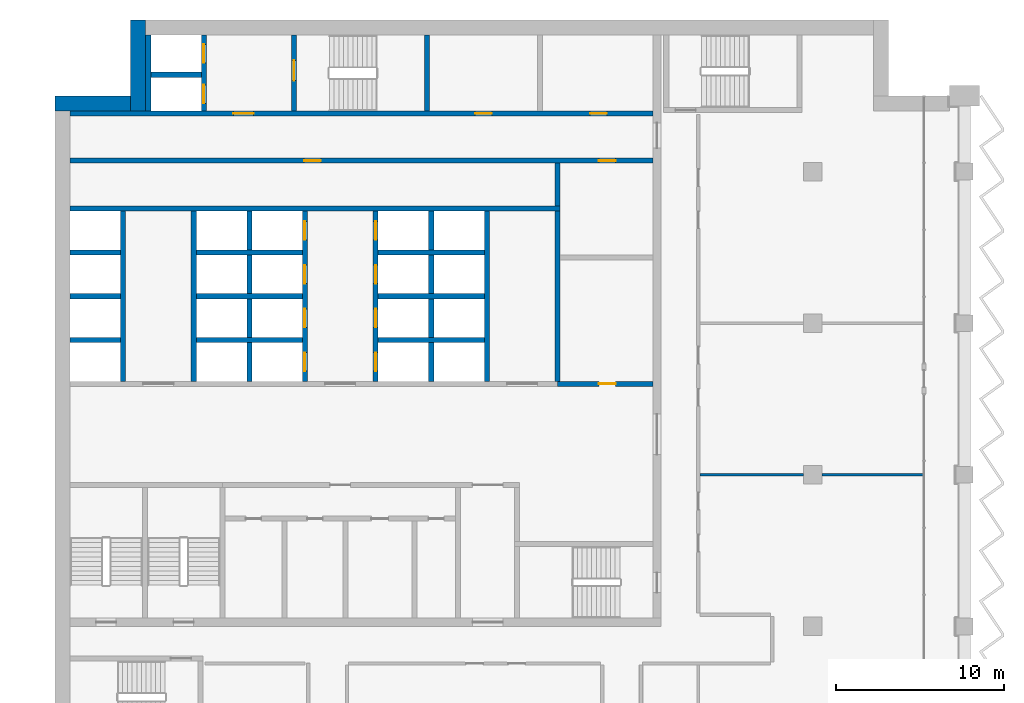
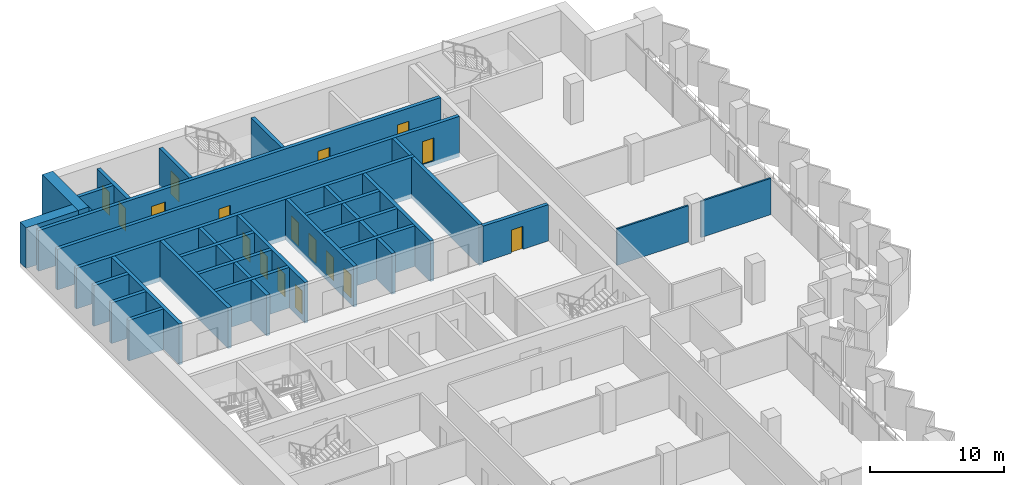
# One storey, part 10 of 17: 31 walls, 17 doors, 17 openings.
"""IFC4 building model written with IfcOpenShell, lengths in metres."""

from ifc_helpers import new_model, si_unit, direction, frame, frame_2d, origin, place, context, subcontext, project, spatial, rectangle, extrude, material, layer, layer_set, type_object, element, fill, save


model = new_model("IFC4")

# Units and contexts
model_context = context("Model", 3, precision=1e-05, world=origin(), true_north=direction((0.0, 1.0)))
body_context = subcontext(model_context, "Body", "Model", "MODEL_VIEW")
ifc_project = project(units=[si_unit("LENGTHUNIT", "METRE"), si_unit("AREAUNIT", "SQUARE_METRE"), si_unit("VOLUMEUNIT", "CUBIC_METRE"), si_unit("PLANEANGLEUNIT", "RADIAN"), si_unit("MASSUNIT", "GRAM", prefix="KILO")], contexts=[model_context])

# Site, building, storey
site_placement = place(None, origin())
site = spatial("IfcSite", under=ifc_project, at=site_placement, CompositionType="ELEMENT")
building_placement = place(site_placement, origin())
building = spatial("IfcBuilding", under=site, at=building_placement, Name="Hunhe Ridgeline Campus", CompositionType="ELEMENT")
storey_placement = place(building_placement, frame((0.0, 0.0, 186.5)))
storey = spatial("IfcBuildingStorey", under=building, at=storey_placement, Name="L47", CompositionType="ELEMENT", Elevation=186.5)

# Wall, opening, door
ifc_material_1 = material(Name="Masonry concrete blockwork", Category="masonry")
ifc_layer_1 = layer(ifc_material_1, 0.300048828125)
ifc_layer_set_1 = layer_set([ifc_layer_1], Name="Core room partition 300 concrete block")
wall_type_1 = type_object("IfcWallType", Name="Core room partition 300 concrete block", PredefinedType="PARTITIONING", material=ifc_layer_set_1)
wall_1_placement = place(storey_placement, frame((29.85009765625, 77.39990234375, 0.0), z_axis=(0.0, 0.0, 1.0), x_axis=(1.0, 0.0, 0.0)))
wall_1 = element("IfcWall", 1, at=wall_1_placement, inside=storey, type_object=wall_type_1, Name="L47 core partition 13", PredefinedType="PARTITIONING", context=body_context, shape_type="SweptSolid", body=[
    extrude(rectangle(XDim=5.64990234375, YDim=0.300048828125, at=frame_2d((2.824951171875, 0.0))), origin(), (0.0, 0.0, 1.0), 3.300048828125),
])
opening_1_placement = place(wall_1_placement, frame((2.449951171875, 0.0, 0.0)))
opening_1 = element("IfcOpeningElement", 2, at=opening_1_placement, cuts=wall_1, Name="Opening CD32", PredefinedType="OPENING", context=body_context, shape_type="SweptSolid", body=[
    extrude(rectangle(XDim=1.0, YDim=2.10009765625, at=frame_2d((0.5, 1.050048828125))), frame((0.0, 0.14990234375, 0.0), z_axis=(0.0, -1.0, 0.0), x_axis=(1.0, 0.0, 0.0)), (0.0, 0.0, 1.0), 0.300048828125),
])
ifc_material_2 = material(Name="Solid core timber door leaf", Category="wood")
door_type_1 = type_object("IfcDoorType", Name="Timber door 1000x2100", OperationType="SINGLE_SWING_LEFT", PredefinedType="DOOR", material=ifc_material_2)
door_1_placement = place(opening_1_placement, origin())
door_1 = element("IfcDoor", 3, at=door_1_placement, inside=storey, type_object=door_type_1, Name="L47 door ES0", OperationType="SINGLE_SWING_RIGHT", OverallHeight=2.10009765625, OverallWidth=1.0, PredefinedType="DOOR", context=body_context, shape_type="SweptSolid", body=[
    extrude(rectangle(XDim=1.0, YDim=2.10009765625, at=frame_2d((0.5, 1.050048828125))), frame((0.0, 0.02490234375, 0.0), z_axis=(0.0, -1.0, 0.0), x_axis=(1.0, 0.0, 0.0)), (0.0, 0.0, 1.0), 0.050048828125),
])
fill(opening_1, door_1)

# Wall
wall_2_placement = place(storey_placement, frame((29.85009765625, 87.949951171875, 0.0), z_axis=(0.0, 0.0, 1.0), x_axis=(0.0, 1.0, 0.0)))
element("IfcWall", 4, at=wall_2_placement, inside=storey, type_object=wall_type_1, Name="L47 core partition 54", PredefinedType="PARTITIONING", context=body_context, shape_type="SweptSolid", body=[
    extrude(rectangle(XDim=2.550048828125, YDim=0.300048828125, at=frame_2d((1.27490234375, 0.0))), origin(), (0.0, 0.0, 1.0), 3.300048828125),
])

# Wall, openings, doors
ifc_material_3 = material(Name="Concrete C60", Category="concrete")
ifc_layer_2 = layer(ifc_material_3, 0.300048828125)
ifc_layer_set_2 = layer_set([ifc_layer_2], Name="Lobby wall 300 reinforced concrete C60")
wall_type_2 = type_object("IfcWallType", Name="Lobby wall 300 reinforced concrete C60", PredefinedType="SOLIDWALL", material=ifc_layer_set_2)
wall_3_placement = place(storey_placement, frame((0.89990234375, 90.64990234375, -0.39990234375), z_axis=(0.0, 0.0, 1.0), x_axis=(1.0, 0.0, 0.0)))
wall_3 = element("IfcWall", 5, at=wall_3_placement, inside=storey, type_object=wall_type_2, Name="L47 core wall 25", PredefinedType="SOLIDWALL", context=body_context, shape_type="SweptSolid", body=[
    extrude(rectangle(XDim=34.60009765625, YDim=0.300048828125, at=frame_2d((17.300048828125, 0.0))), origin(), (0.0, 0.0, 1.0), 3.699951171875),
])
opening_2_placement = place(wall_3_placement, frame((13.89990234375, 0.0, 0.39990234375)))
opening_2 = element("IfcOpeningElement", 6, at=opening_2_placement, cuts=wall_3, Name="Opening CD26", PredefinedType="OPENING", context=body_context, shape_type="SweptSolid", body=[
    extrude(rectangle(XDim=1.0, YDim=2.10009765625, at=frame_2d((0.5, 1.050048828125))), frame((0.0, 0.14990234375, 0.0), z_axis=(0.0, -1.0, 0.0), x_axis=(1.0, 0.0, 0.0)), (0.0, 0.0, 1.0), 0.300048828125),
])
opening_3_placement = place(wall_3_placement, frame((31.39990234375, 0.0, 0.39990234375)))
opening_3 = element("IfcOpeningElement", 7, at=opening_3_placement, cuts=wall_3, Name="Opening CD33", PredefinedType="OPENING", context=body_context, shape_type="SweptSolid", body=[
    extrude(rectangle(XDim=1.0, YDim=2.10009765625, at=frame_2d((0.5, 1.050048828125))), frame((0.0, 0.14990234375, 0.0), z_axis=(0.0, -1.0, 0.0), x_axis=(1.0, 0.0, 0.0)), (0.0, 0.0, 1.0), 0.300048828125),
])
door_2_placement = place(opening_2_placement, frame((1.0, 0.0, 0.0), z_axis=(0.0, 0.0, 1.0), x_axis=(-1.0, 0.0, 0.0)))
door_2 = element("IfcDoor", 8, at=door_2_placement, inside=storey, type_object=door_type_1, Name="L47 door NR-0", OperationType="SINGLE_SWING_LEFT", OverallHeight=2.10009765625, OverallWidth=1.0, PredefinedType="DOOR", context=body_context, shape_type="SweptSolid", body=[
    extrude(rectangle(XDim=1.0, YDim=2.10009765625, at=frame_2d((0.5, 1.050048828125))), frame((0.0, 0.02490234375, 0.0), z_axis=(0.0, -1.0, 0.0), x_axis=(1.0, 0.0, 0.0)), (0.0, 0.0, 1.0), 0.050048828125),
])
fill(opening_2, door_2)
door_3_placement = place(opening_3_placement, frame((1.0, 0.0, 0.0), z_axis=(0.0, 0.0, 1.0), x_axis=(-1.0, 0.0, 0.0)))
door_3 = element("IfcDoor", 9, at=door_3_placement, inside=storey, type_object=door_type_1, Name="L47 door ES1", OperationType="SINGLE_SWING_RIGHT", OverallHeight=2.10009765625, OverallWidth=1.0, PredefinedType="DOOR", context=body_context, shape_type="SweptSolid", body=[
    extrude(rectangle(XDim=1.0, YDim=2.10009765625, at=frame_2d((0.5, 1.050048828125))), frame((0.0, 0.02490234375, 0.0), z_axis=(0.0, -1.0, 0.0), x_axis=(1.0, 0.0, 0.0)), (0.0, 0.0, 1.0), 0.050048828125),
])
fill(opening_3, door_3)

# Walls
wall_4_placement = place(storey_placement, frame((29.85009765625, 77.550048828125, -0.39990234375), z_axis=(0.0, 0.0, 1.0), x_axis=(0.0, 1.0, 0.0)))
element("IfcWall", 10, at=wall_4_placement, inside=storey, type_object=wall_type_2, Name="L47 core wall 53", PredefinedType="SOLIDWALL", context=body_context, shape_type="SweptSolid", body=[
    extrude(rectangle(XDim=10.099853515625, YDim=0.300048828125, at=frame_2d((5.0498046875, 0.0))), origin(), (0.0, 0.0, 1.0), 3.699951171875),
])
ifc_material_4 = material(Name="Gypsum board partition")
ifc_layer_3 = layer(ifc_material_4, 0.14990234375)
ifc_layer_set_3 = layer_set([ifc_layer_3], Name="Room partition 150 gypsum board on steel studs")
wall_type_3 = type_object("IfcWallType", Name="Room partition 150 gypsum board on steel studs", PredefinedType="PARTITIONING", material=ifc_layer_set_3)
wall_5_placement = place(storey_placement, frame((38.300048828125, 72.0, 0.0), z_axis=(0.0, 0.0, 1.0), x_axis=(1.0, 0.0, 0.0)))
element("IfcWall", 11, at=wall_5_placement, inside=storey, type_object=wall_type_3, Name="F-L47-wall-031", PredefinedType="PARTITIONING", context=body_context, shape_type="SweptSolid", body=[
    extrude(rectangle(XDim=6.14990234375, YDim=0.14990234375, at=frame_2d((3.074951171875, 0.0))), origin(), (0.0, 0.0, 1.0), 3.300048828125),
])
wall_6_placement = place(storey_placement, frame((45.550048828125, 72.0, 0.0), z_axis=(0.0, 0.0, 1.0), x_axis=(1.0, 0.0, 0.0)))
element("IfcWall", 12, at=wall_6_placement, inside=storey, type_object=wall_type_3, Name="F-L47-wall-032", PredefinedType="PARTITIONING", context=body_context, shape_type="SweptSolid", body=[
    extrude(rectangle(XDim=5.994873046875, YDim=0.14990234375, at=frame_2d((2.99755859375, 0.0))), origin(), (0.0, 0.0, 1.0), 3.300048828125),
])
ifc_layer_4 = layer(ifc_material_3, 0.300048828125)
ifc_layer_set_4 = layer_set([ifc_layer_4], Name="Shaft wall 300 reinforced concrete C60")
wall_type_4 = type_object("IfcWallType", Name="Shaft wall 300 reinforced concrete C60", PredefinedType="SOLIDWALL", material=ifc_layer_set_4)
wall_7_placement = place(storey_placement, frame((0.89990234375, 80.0, -0.39990234375), z_axis=(0.0, 0.0, 1.0), x_axis=(1.0, 0.0, 0.0)))
element("IfcWall", 13, at=wall_7_placement, inside=storey, type_object=wall_type_4, Name="L47 core wall 14", PredefinedType="SOLIDWALL", context=body_context, shape_type="SweptSolid", body=[
    extrude(rectangle(XDim=3.0, YDim=0.300048828125, at=frame_2d((1.5, 0.0))), origin(), (0.0, 0.0, 1.0), 3.699951171875),
])
for number, where, z_axis, x_axis, name in (
    (14, (8.39990234375, 80.0, -0.39990234375), (0.0, 0.0, 1.0), (1.0, 0.0, 0.0), "L47 core wall 15"),
    (15, (19.199951171875, 80.0, -0.39990234375), (0.0, 0.0, 1.0), (1.0, 0.0, 0.0), "L47 core wall 16"),
):
    element("IfcWall", number, at=place(storey_placement, frame(where, z_axis=z_axis, x_axis=x_axis)), inside=storey, type_object=wall_type_4, Name=name, PredefinedType="SOLIDWALL", context=body_context, shape_type="SweptSolid", body=[
        extrude(rectangle(XDim=6.300048828125, YDim=0.300048828125, at=frame_2d((3.14990234375, 0.0))), origin(), (0.0, 0.0, 1.0), 3.699951171875),
    ])
wall_8_placement = place(storey_placement, frame((0.89990234375, 82.60009765625, -0.39990234375), z_axis=(0.0, 0.0, 1.0), x_axis=(1.0, 0.0, 0.0)))
element("IfcWall", 16, at=wall_8_placement, inside=storey, type_object=wall_type_4, Name="L47 core wall 17", PredefinedType="SOLIDWALL", context=body_context, shape_type="SweptSolid", body=[
    extrude(rectangle(XDim=3.0, YDim=0.300048828125, at=frame_2d((1.5, 0.0))), origin(), (0.0, 0.0, 1.0), 3.699951171875),
])
for number, where, z_axis, x_axis, name in (
    (17, (8.39990234375, 82.60009765625, -0.39990234375), (0.0, 0.0, 1.0), (1.0, 0.0, 0.0), "L47 core wall 18"),
    (18, (19.199951171875, 82.60009765625, -0.39990234375), (0.0, 0.0, 1.0), (1.0, 0.0, 0.0), "L47 core wall 19"),
):
    element("IfcWall", number, at=place(storey_placement, frame(where, z_axis=z_axis, x_axis=x_axis)), inside=storey, type_object=wall_type_4, Name=name, PredefinedType="SOLIDWALL", context=body_context, shape_type="SweptSolid", body=[
        extrude(rectangle(XDim=6.300048828125, YDim=0.300048828125, at=frame_2d((3.14990234375, 0.0))), origin(), (0.0, 0.0, 1.0), 3.699951171875),
    ])
wall_9_placement = place(storey_placement, frame((0.89990234375, 85.199951171875, -0.39990234375), z_axis=(0.0, 0.0, 1.0), x_axis=(1.0, 0.0, 0.0)))
element("IfcWall", 19, at=wall_9_placement, inside=storey, type_object=wall_type_4, Name="L47 core wall 21", PredefinedType="SOLIDWALL", context=body_context, shape_type="SweptSolid", body=[
    extrude(rectangle(XDim=3.0, YDim=0.300048828125, at=frame_2d((1.5, 0.0))), origin(), (0.0, 0.0, 1.0), 3.699951171875),
])
for number, where, z_axis, x_axis, name in (
    (20, (8.39990234375, 85.199951171875, -0.39990234375), (0.0, 0.0, 1.0), (1.0, 0.0, 0.0), "L47 core wall 22"),
    (21, (19.199951171875, 85.199951171875, -0.39990234375), (0.0, 0.0, 1.0), (1.0, 0.0, 0.0), "L47 core wall 23"),
):
    element("IfcWall", number, at=place(storey_placement, frame(where, z_axis=z_axis, x_axis=x_axis)), inside=storey, type_object=wall_type_4, Name=name, PredefinedType="SOLIDWALL", context=body_context, shape_type="SweptSolid", body=[
        extrude(rectangle(XDim=6.300048828125, YDim=0.300048828125, at=frame_2d((3.14990234375, 0.0))), origin(), (0.0, 0.0, 1.0), 3.699951171875),
    ])
wall_10_placement = place(storey_placement, frame((0.89990234375, 87.800048828125, -0.39990234375), z_axis=(0.0, 0.0, 1.0), x_axis=(1.0, 0.0, 0.0)))
element("IfcWall", 22, at=wall_10_placement, inside=storey, type_object=wall_type_4, Name="L47 core wall 24", PredefinedType="SOLIDWALL", context=body_context, shape_type="SweptSolid", body=[
    extrude(rectangle(XDim=29.10009765625, YDim=0.300048828125, at=frame_2d((14.550048828125, 0.0))), origin(), (0.0, 0.0, 1.0), 3.699951171875),
])

# Wall, openings, doors
wall_11_placement = place(storey_placement, frame((0.89990234375, 93.449951171875, -0.39990234375), z_axis=(0.0, 0.0, 1.0), x_axis=(1.0, 0.0, 0.0)))
wall_11 = element("IfcWall", 23, at=wall_11_placement, inside=storey, type_object=wall_type_4, Name="L47 core wall 26", PredefinedType="SOLIDWALL", context=body_context, shape_type="SweptSolid", body=[
    extrude(rectangle(XDim=34.60009765625, YDim=0.300048828125, at=frame_2d((17.300048828125, 0.0))), origin(), (0.0, 0.0, 1.0), 3.699951171875),
])
opening_4_placement = place(wall_11_placement, frame((9.699951171875, 0.0, 0.39990234375)))
opening_4 = element("IfcOpeningElement", 24, at=opening_4_placement, cuts=wall_11, Name="Opening CD3", PredefinedType="OPENING", context=body_context, shape_type="SweptSolid", body=[
    extrude(rectangle(XDim=1.199951171875, YDim=2.10009765625, at=frame_2d((0.60009765625, 1.050048828125))), frame((0.0, 0.14990234375, 0.0), z_axis=(0.0, -1.0, 0.0), x_axis=(1.0, 0.0, 0.0)), (0.0, 0.0, 1.0), 0.300048828125),
])
opening_5_placement = place(wall_11_placement, frame((24.050048828125, 0.0, 0.39990234375)))
opening_5 = element("IfcOpeningElement", 25, at=opening_5_placement, cuts=wall_11, Name="Opening CD34", PredefinedType="OPENING", context=body_context, shape_type="SweptSolid", body=[
    extrude(rectangle(XDim=1.0, YDim=2.10009765625, at=frame_2d((0.5, 1.050048828125))), frame((0.0, 0.14990234375, 0.0), z_axis=(0.0, -1.0, 0.0), x_axis=(1.0, 0.0, 0.0)), (0.0, 0.0, 1.0), 0.300048828125),
])
opening_6_placement = place(wall_11_placement, frame((30.875, 0.0, 0.39990234375)))
opening_6 = element("IfcOpeningElement", 26, at=opening_6_placement, cuts=wall_11, Name="Opening CD35", PredefinedType="OPENING", context=body_context, shape_type="SweptSolid", body=[
    extrude(rectangle(XDim=1.0, YDim=2.10009765625, at=frame_2d((0.5, 1.050048828125))), frame((0.0, 0.14990234375, 0.0), z_axis=(0.0, -1.0, 0.0), x_axis=(1.0, 0.0, 0.0)), (0.0, 0.0, 1.0), 0.300048828125),
])
ifc_material_5 = material(Name="Hollow metal fire door leaf")
door_type_2 = type_object("IfcDoorType", Name="Lobby door 1200x2100 FD60", OperationType="SINGLE_SWING_LEFT", PredefinedType="DOOR", material=ifc_material_5)
door_4_placement = place(opening_4_placement, frame((1.199951171875, 0.0, 0.0), z_axis=(0.0, 0.0, 1.0), x_axis=(-1.0, 0.0, 0.0)))
door_4 = element("IfcDoor", 27, at=door_4_placement, inside=storey, type_object=door_type_2, Name="L47 door FF-C1", OperationType="SINGLE_SWING_RIGHT", OverallHeight=2.10009765625, OverallWidth=1.199951171875, PredefinedType="DOOR", context=body_context, shape_type="SweptSolid", body=[
    extrude(rectangle(XDim=1.199951171875, YDim=2.10009765625, at=frame_2d((0.60009765625, 1.050048828125))), frame((0.0, 0.02490234375, 0.0), z_axis=(0.0, -1.0, 0.0), x_axis=(1.0, 0.0, 0.0)), (0.0, 0.0, 1.0), 0.050048828125),
])
fill(opening_4, door_4)
door_5_placement = place(opening_5_placement, origin())
door_5 = element("IfcDoor", 28, at=door_5_placement, inside=storey, type_object=door_type_1, Name="L47 door NB0", OperationType="SINGLE_SWING_RIGHT", OverallHeight=2.10009765625, OverallWidth=1.0, PredefinedType="DOOR", context=body_context, shape_type="SweptSolid", body=[
    extrude(rectangle(XDim=1.0, YDim=2.10009765625, at=frame_2d((0.5, 1.050048828125))), frame((0.0, 0.02490234375, 0.0), z_axis=(0.0, -1.0, 0.0), x_axis=(1.0, 0.0, 0.0)), (0.0, 0.0, 1.0), 0.050048828125),
])
fill(opening_5, door_5)
door_6_placement = place(opening_6_placement, origin())
door_6 = element("IfcDoor", 29, at=door_6_placement, inside=storey, type_object=door_type_1, Name="L47 door NB1", OperationType="SINGLE_SWING_LEFT", OverallHeight=2.10009765625, OverallWidth=1.0, PredefinedType="DOOR", context=body_context, shape_type="SweptSolid", body=[
    extrude(rectangle(XDim=1.0, YDim=2.10009765625, at=frame_2d((0.5, 1.050048828125))), frame((0.0, 0.02490234375, 0.0), z_axis=(0.0, -1.0, 0.0), x_axis=(1.0, 0.0, 0.0)), (0.0, 0.0, 1.0), 0.050048828125),
])
fill(opening_6, door_6)

# Walls
wall_12_placement = place(storey_placement, frame((5.699951171875, 95.75, -0.39990234375), z_axis=(0.0, 0.0, 1.0), x_axis=(1.0, 0.0, 0.0)))
element("IfcWall", 30, at=wall_12_placement, inside=storey, type_object=wall_type_4, Name="L47 core wall 28", PredefinedType="SOLIDWALL", context=body_context, shape_type="SweptSolid", body=[
    extrude(rectangle(XDim=3.0, YDim=0.300048828125, at=frame_2d((1.5, 0.0))), origin(), (0.0, 0.0, 1.0), 3.699951171875),
])
wall_13_placement = place(storey_placement, frame((4.050048828125, 77.550048828125, -0.39990234375), z_axis=(0.0, 0.0, 1.0), x_axis=(0.0, 1.0, 0.0)))
element("IfcWall", 31, at=wall_13_placement, inside=storey, type_object=wall_type_4, Name="L47 core wall 29", PredefinedType="SOLIDWALL", context=body_context, shape_type="SweptSolid", body=[
    extrude(rectangle(XDim=10.099853515625, YDim=0.300048828125, at=frame_2d((5.0498046875, 0.0))), origin(), (0.0, 0.0, 1.0), 3.699951171875),
])
wall_14_placement = place(storey_placement, frame((5.550048828125, 93.60009765625, -0.39990234375), z_axis=(0.0, 0.0, 1.0), x_axis=(0.0, 1.0, 0.0)))
element("IfcWall", 32, at=wall_14_placement, inside=storey, type_object=wall_type_4, Name="L47 core wall 31", PredefinedType="SOLIDWALL", context=body_context, shape_type="SweptSolid", body=[
    extrude(rectangle(XDim=4.5, YDim=0.300048828125, at=frame_2d((2.25, 0.0))), origin(), (0.0, 0.0, 1.0), 3.699951171875),
])
wall_15_placement = place(storey_placement, frame((8.25, 77.550048828125, -0.39990234375), z_axis=(0.0, 0.0, 1.0), x_axis=(0.0, 1.0, 0.0)))
element("IfcWall", 33, at=wall_15_placement, inside=storey, type_object=wall_type_4, Name="L47 core wall 32", PredefinedType="SOLIDWALL", context=body_context, shape_type="SweptSolid", body=[
    extrude(rectangle(XDim=10.099853515625, YDim=0.300048828125, at=frame_2d((5.0498046875, 0.0))), origin(), (0.0, 0.0, 1.0), 3.699951171875),
])

# Wall, openings, doors
wall_16_placement = place(storey_placement, frame((8.85009765625, 93.60009765625, -0.39990234375), z_axis=(0.0, 0.0, 1.0), x_axis=(0.0, 1.0, 0.0)))
wall_16 = element("IfcWall", 34, at=wall_16_placement, inside=storey, type_object=wall_type_4, Name="L47 core wall 35", PredefinedType="SOLIDWALL", context=body_context, shape_type="SweptSolid", body=[
    extrude(rectangle(XDim=4.5, YDim=0.300048828125, at=frame_2d((2.25, 0.0))), origin(), (0.0, 0.0, 1.0), 3.699951171875),
])
opening_7_placement = place(wall_16_placement, frame((0.449951171875, 0.0, 0.39990234375)))
opening_7 = element("IfcOpeningElement", 35, at=opening_7_placement, cuts=wall_16, Name="Opening LD-FF1", PredefinedType="OPENING", context=body_context, shape_type="SweptSolid", body=[
    extrude(rectangle(XDim=1.10009765625, YDim=2.10009765625, at=frame_2d((0.550048828125, 1.050048828125))), frame((0.0, 0.14990234375, 0.0), z_axis=(0.0, -1.0, 0.0), x_axis=(1.0, 0.0, 0.0)), (0.0, 0.0, 1.0), 0.300048828125),
])
opening_8_placement = place(wall_16_placement, frame((2.85009765625, 0.0, 0.39990234375)))
opening_8 = element("IfcOpeningElement", 36, at=opening_8_placement, cuts=wall_16, Name="Opening LD-FF2", PredefinedType="OPENING", context=body_context, shape_type="SweptSolid", body=[
    extrude(rectangle(XDim=1.10009765625, YDim=2.10009765625, at=frame_2d((0.550048828125, 1.050048828125))), frame((0.0, 0.14990234375, 0.0), z_axis=(0.0, -1.0, 0.0), x_axis=(1.0, 0.0, 0.0)), (0.0, 0.0, 1.0), 0.300048828125),
])
ifc_material_6 = material(Name="Stainless steel sliding leaves", Category="steel")
door_type_3 = type_object("IfcDoorType", Name="Landing door 1100x2100 FD120", OperationType="SLIDING_TO_LEFT", PredefinedType="DOOR", material=ifc_material_6)
door_7_placement = place(opening_7_placement, origin())
door_7 = element("IfcDoor", 37, at=door_7_placement, inside=storey, type_object=door_type_3, Name="L47 landing door FF1", OperationType="SLIDING_TO_RIGHT", OverallHeight=2.10009765625, OverallWidth=1.10009765625, PredefinedType="DOOR", context=body_context, shape_type="SweptSolid", body=[
    extrude(rectangle(XDim=1.10009765625, YDim=2.10009765625, at=frame_2d((0.550048828125, 1.050048828125))), frame((0.0, 0.02490234375, 0.0), z_axis=(0.0, -1.0, 0.0), x_axis=(1.0, 0.0, 0.0)), (0.0, 0.0, 1.0), 0.050048828125),
])
fill(opening_7, door_7)
door_8_placement = place(opening_8_placement, origin())
door_8 = element("IfcDoor", 38, at=door_8_placement, inside=storey, type_object=door_type_3, Name="L47 landing door FF2", OperationType="SLIDING_TO_LEFT", OverallHeight=2.10009765625, OverallWidth=1.10009765625, PredefinedType="DOOR", context=body_context, shape_type="SweptSolid", body=[
    extrude(rectangle(XDim=1.10009765625, YDim=2.10009765625, at=frame_2d((0.550048828125, 1.050048828125))), frame((0.0, 0.02490234375, 0.0), z_axis=(0.0, -1.0, 0.0), x_axis=(1.0, 0.0, 0.0)), (0.0, 0.0, 1.0), 0.050048828125),
])
fill(opening_8, door_8)

# Wall
wall_17_placement = place(storey_placement, frame((11.550048828125, 77.550048828125, -0.39990234375), z_axis=(0.0, 0.0, 1.0), x_axis=(0.0, 1.0, 0.0)))
element("IfcWall", 39, at=wall_17_placement, inside=storey, type_object=wall_type_4, Name="L47 core wall 37", PredefinedType="SOLIDWALL", context=body_context, shape_type="SweptSolid", body=[
    extrude(rectangle(XDim=10.099853515625, YDim=0.300048828125, at=frame_2d((5.0498046875, 0.0))), origin(), (0.0, 0.0, 1.0), 3.699951171875),
])

# Wall, openings, doors
wall_18_placement = place(storey_placement, frame((14.85009765625, 77.550048828125, -0.39990234375), z_axis=(0.0, 0.0, 1.0), x_axis=(0.0, 1.0, 0.0)))
wall_18 = element("IfcWall", 40, at=wall_18_placement, inside=storey, type_object=wall_type_4, Name="L47 core wall 40", PredefinedType="SOLIDWALL", context=body_context, shape_type="SweptSolid", body=[
    extrude(rectangle(XDim=10.099853515625, YDim=0.300048828125, at=frame_2d((5.0498046875, 0.0))), origin(), (0.0, 0.0, 1.0), 3.699951171875),
])
opening_9_placement = place(wall_18_placement, frame((0.60009765625, 0.0, 0.39990234375)))
opening_9 = element("IfcOpeningElement", 41, at=opening_9_placement, cuts=wall_18, Name="Opening LD-HR1", PredefinedType="OPENING", context=body_context, shape_type="SweptSolid", body=[
    extrude(rectangle(XDim=1.10009765625, YDim=2.10009765625, at=frame_2d((0.550048828125, 1.050048828125))), frame((0.0, 0.14990234375, 0.0), z_axis=(0.0, -1.0, 0.0), x_axis=(1.0, 0.0, 0.0)), (0.0, 0.0, 1.0), 0.300048828125),
])
opening_10_placement = place(wall_18_placement, frame((3.199951171875, 0.0, 0.39990234375)))
opening_10 = element("IfcOpeningElement", 42, at=opening_10_placement, cuts=wall_18, Name="Opening LD-HR2", PredefinedType="OPENING", context=body_context, shape_type="SweptSolid", body=[
    extrude(rectangle(XDim=1.10009765625, YDim=2.10009765625, at=frame_2d((0.550048828125, 1.050048828125))), frame((0.0, 0.14990234375, 0.0), z_axis=(0.0, -1.0, 0.0), x_axis=(1.0, 0.0, 0.0)), (0.0, 0.0, 1.0), 0.300048828125),
])
opening_11_placement = place(wall_18_placement, frame((5.800048828125, 0.0, 0.39990234375)))
opening_11 = element("IfcOpeningElement", 43, at=opening_11_placement, cuts=wall_18, Name="Opening LD-HR3", PredefinedType="OPENING", context=body_context, shape_type="SweptSolid", body=[
    extrude(rectangle(XDim=1.10009765625, YDim=2.10009765625, at=frame_2d((0.550048828125, 1.050048828125))), frame((0.0, 0.14990234375, 0.0), z_axis=(0.0, -1.0, 0.0), x_axis=(1.0, 0.0, 0.0)), (0.0, 0.0, 1.0), 0.300048828125),
])
opening_12_placement = place(wall_18_placement, frame((8.39990234375, 0.0, 0.39990234375)))
opening_12 = element("IfcOpeningElement", 44, at=opening_12_placement, cuts=wall_18, Name="Opening LD-HR4", PredefinedType="OPENING", context=body_context, shape_type="SweptSolid", body=[
    extrude(rectangle(XDim=1.10009765625, YDim=2.10009765625, at=frame_2d((0.550048828125, 1.050048828125))), frame((0.0, 0.14990234375, 0.0), z_axis=(0.0, -1.0, 0.0), x_axis=(1.0, 0.0, 0.0)), (0.0, 0.0, 1.0), 0.300048828125),
])
door_9_placement = place(opening_9_placement, origin())
door_9 = element("IfcDoor", 45, at=door_9_placement, inside=storey, type_object=door_type_3, Name="L47 landing door HR1", OperationType="SLIDING_TO_RIGHT", OverallHeight=2.10009765625, OverallWidth=1.10009765625, PredefinedType="DOOR", context=body_context, shape_type="SweptSolid", body=[
    extrude(rectangle(XDim=1.10009765625, YDim=2.10009765625, at=frame_2d((0.550048828125, 1.050048828125))), frame((0.0, 0.02490234375, 0.0), z_axis=(0.0, -1.0, 0.0), x_axis=(1.0, 0.0, 0.0)), (0.0, 0.0, 1.0), 0.050048828125),
])
fill(opening_9, door_9)
door_10_placement = place(opening_10_placement, origin())
door_10 = element("IfcDoor", 46, at=door_10_placement, inside=storey, type_object=door_type_3, Name="L47 landing door HR2", OperationType="SLIDING_TO_LEFT", OverallHeight=2.10009765625, OverallWidth=1.10009765625, PredefinedType="DOOR", context=body_context, shape_type="SweptSolid", body=[
    extrude(rectangle(XDim=1.10009765625, YDim=2.10009765625, at=frame_2d((0.550048828125, 1.050048828125))), frame((0.0, 0.02490234375, 0.0), z_axis=(0.0, -1.0, 0.0), x_axis=(1.0, 0.0, 0.0)), (0.0, 0.0, 1.0), 0.050048828125),
])
fill(opening_10, door_10)
door_11_placement = place(opening_11_placement, origin())
door_11 = element("IfcDoor", 47, at=door_11_placement, inside=storey, type_object=door_type_3, Name="L47 landing door HR3", OperationType="SLIDING_TO_RIGHT", OverallHeight=2.10009765625, OverallWidth=1.10009765625, PredefinedType="DOOR", context=body_context, shape_type="SweptSolid", body=[
    extrude(rectangle(XDim=1.10009765625, YDim=2.10009765625, at=frame_2d((0.550048828125, 1.050048828125))), frame((0.0, 0.02490234375, 0.0), z_axis=(0.0, -1.0, 0.0), x_axis=(1.0, 0.0, 0.0)), (0.0, 0.0, 1.0), 0.050048828125),
])
fill(opening_11, door_11)
door_12_placement = place(opening_12_placement, origin())
door_12 = element("IfcDoor", 48, at=door_12_placement, inside=storey, type_object=door_type_3, Name="L47 landing door HR4", OperationType="SLIDING_TO_LEFT", OverallHeight=2.10009765625, OverallWidth=1.10009765625, PredefinedType="DOOR", context=body_context, shape_type="SweptSolid", body=[
    extrude(rectangle(XDim=1.10009765625, YDim=2.10009765625, at=frame_2d((0.550048828125, 1.050048828125))), frame((0.0, 0.02490234375, 0.0), z_axis=(0.0, -1.0, 0.0), x_axis=(1.0, 0.0, 0.0)), (0.0, 0.0, 1.0), 0.050048828125),
])
fill(opening_12, door_12)

wall_19_placement = place(storey_placement, frame((19.050048828125, 77.550048828125, -0.39990234375), z_axis=(0.0, 0.0, 1.0), x_axis=(0.0, 1.0, 0.0)))
wall_19 = element("IfcWall", 49, at=wall_19_placement, inside=storey, type_object=wall_type_4, Name="L47 core wall 42", PredefinedType="SOLIDWALL", context=body_context, shape_type="SweptSolid", body=[
    extrude(rectangle(XDim=10.099853515625, YDim=0.300048828125, at=frame_2d((5.0498046875, 0.0))), origin(), (0.0, 0.0, 1.0), 3.699951171875),
])
opening_13_placement = place(wall_19_placement, frame((0.60009765625, 0.0, 0.39990234375)))
opening_13 = element("IfcOpeningElement", 50, at=opening_13_placement, cuts=wall_19, Name="Opening LD-HR5", PredefinedType="OPENING", context=body_context, shape_type="SweptSolid", body=[
    extrude(rectangle(XDim=1.10009765625, YDim=2.10009765625, at=frame_2d((0.550048828125, 1.050048828125))), frame((0.0, 0.14990234375, 0.0), z_axis=(0.0, -1.0, 0.0), x_axis=(1.0, 0.0, 0.0)), (0.0, 0.0, 1.0), 0.300048828125),
])
opening_14_placement = place(wall_19_placement, frame((3.199951171875, 0.0, 0.39990234375)))
opening_14 = element("IfcOpeningElement", 51, at=opening_14_placement, cuts=wall_19, Name="Opening LD-HR6", PredefinedType="OPENING", context=body_context, shape_type="SweptSolid", body=[
    extrude(rectangle(XDim=1.10009765625, YDim=2.10009765625, at=frame_2d((0.550048828125, 1.050048828125))), frame((0.0, 0.14990234375, 0.0), z_axis=(0.0, -1.0, 0.0), x_axis=(1.0, 0.0, 0.0)), (0.0, 0.0, 1.0), 0.300048828125),
])
opening_15_placement = place(wall_19_placement, frame((5.800048828125, 0.0, 0.39990234375)))
opening_15 = element("IfcOpeningElement", 52, at=opening_15_placement, cuts=wall_19, Name="Opening LD-HR7", PredefinedType="OPENING", context=body_context, shape_type="SweptSolid", body=[
    extrude(rectangle(XDim=1.10009765625, YDim=2.10009765625, at=frame_2d((0.550048828125, 1.050048828125))), frame((0.0, 0.14990234375, 0.0), z_axis=(0.0, -1.0, 0.0), x_axis=(1.0, 0.0, 0.0)), (0.0, 0.0, 1.0), 0.300048828125),
])
opening_16_placement = place(wall_19_placement, frame((8.39990234375, 0.0, 0.39990234375)))
opening_16 = element("IfcOpeningElement", 53, at=opening_16_placement, cuts=wall_19, Name="Opening LD-HR8", PredefinedType="OPENING", context=body_context, shape_type="SweptSolid", body=[
    extrude(rectangle(XDim=1.10009765625, YDim=2.10009765625, at=frame_2d((0.550048828125, 1.050048828125))), frame((0.0, 0.14990234375, 0.0), z_axis=(0.0, -1.0, 0.0), x_axis=(1.0, 0.0, 0.0)), (0.0, 0.0, 1.0), 0.300048828125),
])
door_13_placement = place(opening_13_placement, origin())
door_13 = element("IfcDoor", 54, at=door_13_placement, inside=storey, type_object=door_type_3, Name="L47 landing door HR5", OperationType="SLIDING_TO_RIGHT", OverallHeight=2.10009765625, OverallWidth=1.10009765625, PredefinedType="DOOR", context=body_context, shape_type="SweptSolid", body=[
    extrude(rectangle(XDim=1.10009765625, YDim=2.10009765625, at=frame_2d((0.550048828125, 1.050048828125))), frame((0.0, 0.02490234375, 0.0), z_axis=(0.0, -1.0, 0.0), x_axis=(1.0, 0.0, 0.0)), (0.0, 0.0, 1.0), 0.050048828125),
])
fill(opening_13, door_13)
door_14_placement = place(opening_14_placement, origin())
door_14 = element("IfcDoor", 55, at=door_14_placement, inside=storey, type_object=door_type_3, Name="L47 landing door HR6", OperationType="SLIDING_TO_LEFT", OverallHeight=2.10009765625, OverallWidth=1.10009765625, PredefinedType="DOOR", context=body_context, shape_type="SweptSolid", body=[
    extrude(rectangle(XDim=1.10009765625, YDim=2.10009765625, at=frame_2d((0.550048828125, 1.050048828125))), frame((0.0, 0.02490234375, 0.0), z_axis=(0.0, -1.0, 0.0), x_axis=(1.0, 0.0, 0.0)), (0.0, 0.0, 1.0), 0.050048828125),
])
fill(opening_14, door_14)
door_15_placement = place(opening_15_placement, origin())
door_15 = element("IfcDoor", 56, at=door_15_placement, inside=storey, type_object=door_type_3, Name="L47 landing door HR7", OperationType="SLIDING_TO_RIGHT", OverallHeight=2.10009765625, OverallWidth=1.10009765625, PredefinedType="DOOR", context=body_context, shape_type="SweptSolid", body=[
    extrude(rectangle(XDim=1.10009765625, YDim=2.10009765625, at=frame_2d((0.550048828125, 1.050048828125))), frame((0.0, 0.02490234375, 0.0), z_axis=(0.0, -1.0, 0.0), x_axis=(1.0, 0.0, 0.0)), (0.0, 0.0, 1.0), 0.050048828125),
])
fill(opening_15, door_15)
door_16_placement = place(opening_16_placement, origin())
door_16 = element("IfcDoor", 57, at=door_16_placement, inside=storey, type_object=door_type_3, Name="L47 landing door HR8", OperationType="SLIDING_TO_LEFT", OverallHeight=2.10009765625, OverallWidth=1.10009765625, PredefinedType="DOOR", context=body_context, shape_type="SweptSolid", body=[
    extrude(rectangle(XDim=1.10009765625, YDim=2.10009765625, at=frame_2d((0.550048828125, 1.050048828125))), frame((0.0, 0.02490234375, 0.0), z_axis=(0.0, -1.0, 0.0), x_axis=(1.0, 0.0, 0.0)), (0.0, 0.0, 1.0), 0.050048828125),
])
fill(opening_16, door_16)

# Walls
for number, where, z_axis, x_axis, name in (
    (58, (22.35009765625, 77.550048828125, -0.39990234375), (0.0, 0.0, 1.0), (0.0, 1.0, 0.0), "L47 core wall 46"),
    (59, (25.64990234375, 77.550048828125, -0.39990234375), (0.0, 0.0, 1.0), (0.0, 1.0, 0.0), "L47 core wall 49"),
):
    element("IfcWall", number, at=place(storey_placement, frame(where, z_axis=z_axis, x_axis=x_axis)), inside=storey, type_object=wall_type_4, Name=name, PredefinedType="SOLIDWALL", context=body_context, shape_type="SweptSolid", body=[
        extrude(rectangle(XDim=10.099853515625, YDim=0.300048828125, at=frame_2d((5.0498046875, 0.0))), origin(), (0.0, 0.0, 1.0), 3.699951171875),
    ])
ifc_layer_5 = layer(ifc_material_3, 0.89990234375)
ifc_layer_set_5 = layer_set([ifc_layer_5], Name="Spine wall 900 Concrete C60")
wall_type_5 = type_object("IfcWallType", Name="Spine wall 900 Concrete C60", PredefinedType="SHEAR", material=ifc_layer_set_5)
for number, where, z_axis, x_axis, name in (
    (60, (4.949951171875, 99.0, 0.0), (0.0, 0.0, 1.0), (0.0, -1.0, 0.0), "Spine wall SW3-5 L47"),
    (61, (5.400146484375, 94.050048828125, 0.0), (0.0, 0.0, 1.0), (-1.0, 0.0, 0.0), "Spine wall SW3-6 L47"),
):
    element("IfcWall", number, at=place(storey_placement, frame(where, z_axis=z_axis, x_axis=x_axis)), inside=storey, type_object=wall_type_5, Name=name, PredefinedType="SHEAR", context=body_context, shape_type="SweptSolid", body=[
        extrude(rectangle(XDim=5.400146484375, YDim=0.89990234375, at=frame_2d((2.7001953125, 0.0))), origin(), (0.0, 0.0, 1.0), 3.699951171875),
    ])

# Wall, opening, door
ifc_layer_6 = layer(ifc_material_3, 0.300048828125)
ifc_layer_set_6 = layer_set([ifc_layer_6], Name="Stair wall 300 reinforced concrete C60")
wall_type_6 = type_object("IfcWallType", Name="Stair wall 300 reinforced concrete C60", PredefinedType="SOLIDWALL", material=ifc_layer_set_6)
wall_20_placement = place(storey_placement, frame((14.199951171875, 93.60009765625, -0.39990234375), z_axis=(0.0, 0.0, 1.0), x_axis=(0.0, 1.0, 0.0)))
wall_20 = element("IfcWall", 62, at=wall_20_placement, inside=storey, type_object=wall_type_6, Name="L47 core wall 39", PredefinedType="SOLIDWALL", context=body_context, shape_type="SweptSolid", body=[
    extrude(rectangle(XDim=4.5, YDim=0.300048828125, at=frame_2d((2.25, 0.0))), origin(), (0.0, 0.0, 1.0), 3.699951171875),
])
opening_17_placement = place(wall_20_placement, frame((1.800048828125, 0.0, 0.39990234375)))
opening_17 = element("IfcOpeningElement", 63, at=opening_17_placement, cuts=wall_20, Name="Opening CD16", PredefinedType="OPENING", context=body_context, shape_type="SweptSolid", body=[
    extrude(rectangle(XDim=1.199951171875, YDim=2.10009765625, at=frame_2d((0.60009765625, 1.050048828125))), frame((0.0, 0.14990234375, 0.0), z_axis=(0.0, -1.0, 0.0), x_axis=(1.0, 0.0, 0.0)), (0.0, 0.0, 1.0), 0.300048828125),
])
door_type_4 = type_object("IfcDoorType", Name="Stair door 1200x2100 FD60", OperationType="SINGLE_SWING_LEFT", PredefinedType="DOOR", material=ifc_material_5)
door_17_placement = place(opening_17_placement, origin())
door_17 = element("IfcDoor", 64, at=door_17_placement, inside=storey, type_object=door_type_4, Name="L47 door S1-FF", OperationType="SINGLE_SWING_RIGHT", OverallHeight=2.10009765625, OverallWidth=1.199951171875, PredefinedType="DOOR", context=body_context, shape_type="SweptSolid", body=[
    extrude(rectangle(XDim=1.199951171875, YDim=2.10009765625, at=frame_2d((0.60009765625, 1.050048828125))), frame((0.0, 0.02490234375, 0.0), z_axis=(0.0, -1.0, 0.0), x_axis=(1.0, 0.0, 0.0)), (0.0, 0.0, 1.0), 0.050048828125),
])
fill(opening_17, door_17)

# Wall
wall_21_placement = place(storey_placement, frame((22.10009765625, 93.60009765625, -0.39990234375), z_axis=(0.0, 0.0, 1.0), x_axis=(0.0, 1.0, 0.0)))
element("IfcWall", 65, at=wall_21_placement, inside=storey, type_object=wall_type_6, Name="L47 core wall 45", PredefinedType="SOLIDWALL", context=body_context, shape_type="SweptSolid", body=[
    extrude(rectangle(XDim=4.5, YDim=0.300048828125, at=frame_2d((2.25, 0.0))), origin(), (0.0, 0.0, 1.0), 3.699951171875),
])

save(model, "model.ifc")
